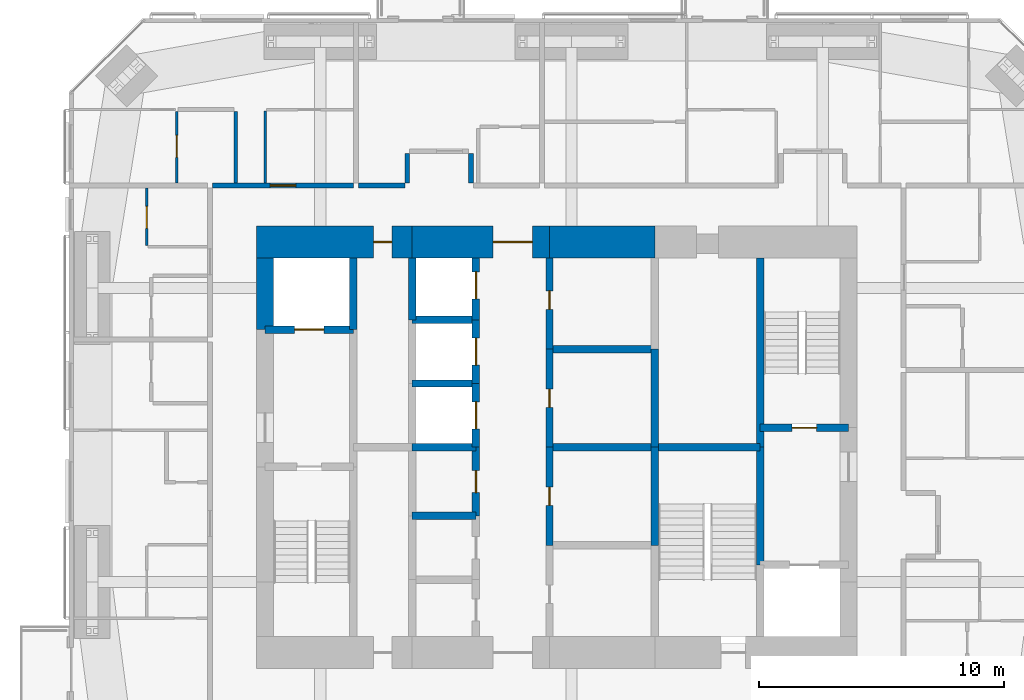
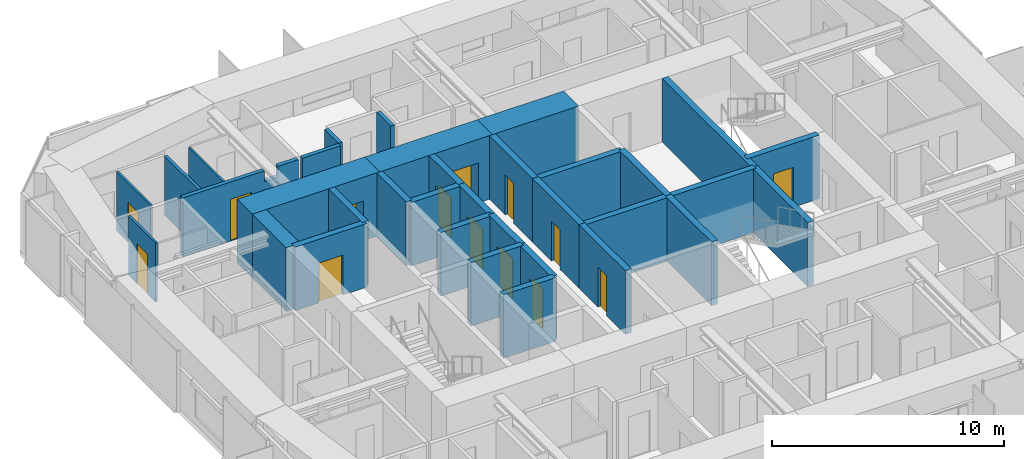
# One storey, part 18 of 23: 34 walls, 14 doors, 14 openings.
"""IFC4 building model written with IfcOpenShell, lengths in metres."""

import ifcopenshell
import ifcopenshell.guid

model = None  # the IFC model being written
_history = None  # IfcOwnerHistory: only IFC2X3 demands one
_inside = {}  # id of a spatial element -> (the spatial element, [elements in it])
_under = {}  # id of a project, library or spatial element -> (it, [spatial elements below it])
_declared = {}  # id of a project -> (the project, [libraries it declares])
_typed = {}  # id of a type object -> (the type object, [elements of that type])
_made_of = {}  # id of a material, layer set ... -> (it, [elements and type objects made of it])


def new_model(schema):
    """Start an empty IFC model of exactly this schema.

    Asked for "IFC4X3", IfcOpenShell would pick the latest addendum, in which some entities
    have other attributes; the version numbers below select the first issue.
    IFC2X3 requires an IfcOwnerHistory on every rooted entity: one is made here for all.
    """
    global model, _history
    if schema == "IFC4X3":
        model = ifcopenshell.file(schema_version=(4, 3, 0, 0))
    else:
        model = ifcopenshell.file(schema=schema)
    _inside.clear()
    _under.clear()
    _declared.clear()
    _typed.clear()
    _made_of.clear()
    _history = None
    if model.schema == "IFC2X3":
        org = make("IfcOrganization", Name="unknown")
        user = make(
            "IfcPersonAndOrganization",
            ThePerson=make("IfcPerson", FamilyName="unknown"),
            TheOrganization=org,
        )
        app = make(
            "IfcApplication",
            ApplicationDeveloper=org,
            Version="unknown",
            ApplicationFullName="unknown",
            ApplicationIdentifier="unknown",
        )
        _history = make(
            "IfcOwnerHistory",
            OwningUser=user,
            OwningApplication=app,
            ChangeAction="ADDED",
            CreationDate=0,
        )
    return model


def make(cls, **values):
    """One entity of the class cls with the attributes given. An attribute that is None is left unset."""
    return model.create_entity(
        cls, **{name: value for name, value in values.items() if value is not None}
    )


def rooted(cls, **values):
    """An entity with a GlobalId (a new one), such as an element, a storey or a relation."""
    return make(cls, GlobalId=ifcopenshell.guid.new(), OwnerHistory=_history, **values)


def si_unit(unit_type, name, prefix=None):
    """IfcSIUnit, for example si_unit("LENGTHUNIT", "METRE", prefix="MILLI")."""
    return make("IfcSIUnit", UnitType=unit_type, Prefix=prefix, Name=name)


def assignment(units):
    """IfcUnitAssignment: the units of a project."""
    return None if units is None else make("IfcUnitAssignment", Units=units)


def point(xyz):
    """IfcCartesianPoint."""
    return None if xyz is None else make("IfcCartesianPoint", Coordinates=xyz)


def direction(xyz):
    """IfcDirection."""
    return None if xyz is None else make("IfcDirection", DirectionRatios=xyz)


def frame(location, z_axis=None, x_axis=None):
    """IfcAxis2Placement3D, a coordinate frame: its origin and axes. An axis left out is left unset."""
    return make(
        "IfcAxis2Placement3D",
        Location=point(location),
        Axis=direction(z_axis),
        RefDirection=direction(x_axis),
    )


def frame_2d(location, x_axis=None):
    """IfcAxis2Placement2D, a coordinate frame in the plane: its origin and x axis."""
    return make(
        "IfcAxis2Placement2D", Location=point(location), RefDirection=direction(x_axis)
    )


def origin():
    """The frame at (0, 0, 0) with its axes left unset."""
    return frame((0.0, 0.0, 0.0))


def place(relative_to, where):
    """IfcLocalPlacement: puts the frame where relative to a parent placement (None: the world)."""
    return make(
        "IfcLocalPlacement", PlacementRelTo=relative_to, RelativePlacement=where
    )


def context(
    kind, dimensions, precision=None, world=None, true_north=None, identifier=None
):
    """IfcGeometricRepresentationContext, for example the 3D "Model" context."""
    return make(
        "IfcGeometricRepresentationContext",
        ContextIdentifier=identifier,
        ContextType=kind,
        CoordinateSpaceDimension=dimensions,
        Precision=precision,
        WorldCoordinateSystem=world,
        TrueNorth=true_north,
    )


def subcontext(parent, identifier, kind, view, scale=None):
    """IfcGeometricRepresentationSubContext, for example "Body" below "Model"."""
    return make(
        "IfcGeometricRepresentationSubContext",
        ContextIdentifier=identifier,
        ContextType=kind,
        ParentContext=parent,
        TargetScale=scale,
        TargetView=view,
    )


def project(units=None, contexts=None):
    """IfcProject with its units and contexts."""
    return rooted(
        "IfcProject",
        Name="project",
        RepresentationContexts=contexts,
        UnitsInContext=assignment(units),
    )


def spatial(cls, under=None, at=None, **own):
    """A site, building, storey or space (cls), placed at a placement, below another one or the project."""
    s = rooted(cls, ObjectPlacement=at, **own)
    if under is not None:
        _under.setdefault(under.id(), (under, []))[1].append(s)
    return s


def polyline(points):
    """IfcPolyline through the points."""
    return make("IfcPolyline", Points=[point(p) for p in points])


def profile(cls, at=None, kind="AREA", **sizes):
    """A parametric profile (cls). Its sizes go by their IFC names, for example OverallWidth=200.0."""
    return make(cls, ProfileType=kind, Position=at, **sizes)


def rectangle(**sizes):
    """IfcRectangleProfileDef."""
    return profile("IfcRectangleProfileDef", **sizes)


def outline(outer, holes=None, kind="AREA"):
    """IfcArbitraryClosedProfileDef: a profile drawn as a closed curve; with holes, ...WithVoids."""
    if holes is None:
        return make("IfcArbitraryClosedProfileDef", ProfileType=kind, OuterCurve=outer)
    return make(
        "IfcArbitraryProfileDefWithVoids",
        ProfileType=kind,
        OuterCurve=outer,
        InnerCurves=holes,
    )


def extrude(swept, where, along, depth):
    """IfcExtrudedAreaSolid: the profile swept, set in the frame where, extruded along a direction by depth."""
    return make(
        "IfcExtrudedAreaSolid",
        SweptArea=swept,
        Position=where,
        ExtrudedDirection=direction(along),
        Depth=depth,
    )


def shape(context_of_items, identifier, shape_type, items):
    """IfcShapeRepresentation: the items that make up one representation, for example the "Body"."""
    return make(
        "IfcShapeRepresentation",
        ContextOfItems=context_of_items,
        RepresentationIdentifier=identifier,
        RepresentationType=shape_type,
        Items=items,
    )


def material(Name=None, Category=None):
    """IfcMaterial."""
    return make("IfcMaterial", Name=Name, Category=Category)


def layer(
    of_material, thickness, ventilated=None, Name=None, Category=None, Priority=None
):
    """IfcMaterialLayer: one layer of a wall or slab, of a material (None: an air gap)."""
    return make(
        "IfcMaterialLayer",
        Material=of_material,
        LayerThickness=thickness,
        IsVentilated=ventilated,
        Name=Name,
        Category=Category,
        Priority=Priority,
    )


def layer_set(layers, Name=None):
    """IfcMaterialLayerSet."""
    return make("IfcMaterialLayerSet", MaterialLayers=layers, LayerSetName=Name)


def constituent(of_material, Name=None, Category=None, fraction=None):
    """IfcMaterialConstituent: one of the materials an element consists of."""
    return make(
        "IfcMaterialConstituent",
        Name=Name,
        Material=of_material,
        Fraction=fraction,
        Category=Category,
    )


def constituent_set(constituents=None, Name=None):
    """IfcMaterialConstituentSet."""
    return make(
        "IfcMaterialConstituentSet", Name=Name, MaterialConstituents=constituents
    )


def made_of(thing, what):
    """Note that an element or type object is made of a material, layer set ...; save() writes the relation."""
    if what is not None:
        _made_of.setdefault(what.id(), (what, []))[1].append(thing)
    return thing


def type_object(cls, material=None, **own):
    """A type object (cls), such as IfcWallType, which elements share."""
    return made_of(rooted(cls, **own), material)


def element(
    cls,
    number,
    at=None,
    inside=None,
    cuts=None,
    type_object=None,
    material=None,
    context=None,
    identifier="Body",
    shape_type=None,
    held_by="IfcProductDefinitionShape",
    body=None,
    shapes=None,
    **own,
):
    """One element of the class cls, such as IfcWall. Its Tag is "e" and its number.

    at: its placement. inside: the storey or other place that contains it. cuts: it is an
    opening in that element (IfcRelVoidsElement). A single representation is given by context,
    identifier, shape_type and body (its items); several are given by shapes. held_by: the class
    of the entity that holds the representations. save() writes the other relations.
    """
    e = rooted(cls, Tag="e%d" % number, ObjectPlacement=at, **own)
    if body is not None:
        shapes = [shape(context, identifier, shape_type, body)]
    if shapes is not None:
        e.Representation = make(held_by, Representations=shapes)
    if inside is not None:
        _inside.setdefault(inside.id(), (inside, []))[1].append(e)
    if cuts is not None:
        rooted(
            "IfcRelVoidsElement", RelatingBuildingElement=cuts, RelatedOpeningElement=e
        )
    if type_object is not None:
        _typed.setdefault(type_object.id(), (type_object, []))[1].append(e)
    return made_of(e, material)


def fill(opening, filler):
    """IfcRelFillsElement: the door or window that sits in an opening."""
    return rooted(
        "IfcRelFillsElement",
        RelatingOpeningElement=opening,
        RelatedBuildingElement=filler,
    )


def aggregate(whole, parts):
    """IfcRelAggregates: a whole, such as a stair, and the parts it consists of."""
    return rooted("IfcRelAggregates", RelatingObject=whole, RelatedObjects=parts)


def save(model, path):
    """Write the relations noted so far, then the file.

    IfcRelAggregates (storeys below a building ...), IfcRelContainedInSpatialStructure (elements
    in a storey), IfcRelDefinesByType, IfcRelAssociatesMaterial and IfcRelDeclares: one each for
    every whole, place, type object, material and project.
    """
    for whole, parts in _under.values():
        aggregate(whole, parts)
    for where, things in _inside.values():
        rooted(
            "IfcRelContainedInSpatialStructure",
            RelatedElements=things,
            RelatingStructure=where,
        )
    for kind, things in _typed.values():
        rooted("IfcRelDefinesByType", RelatedObjects=things, RelatingType=kind)
    for what, things in _made_of.values():
        rooted("IfcRelAssociatesMaterial", RelatedObjects=things, RelatingMaterial=what)
    for by, libraries in _declared.values():
        rooted("IfcRelDeclares", RelatingContext=by, RelatedDefinitions=libraries)
    model.write(path)


model = new_model("IFC4")

# Units and contexts
model_context = context("Model", 3, precision=1e-05, world=origin(), true_north=direction((0.0, 1.0)))
body_context = subcontext(model_context, "Body", "Model", "MODEL_VIEW")
ifc_project = project(units=[si_unit("LENGTHUNIT", "METRE"), si_unit("AREAUNIT", "SQUARE_METRE"), si_unit("VOLUMEUNIT", "CUBIC_METRE"), si_unit("PLANEANGLEUNIT", "RADIAN"), si_unit("MASSUNIT", "GRAM", prefix="KILO")], contexts=[model_context])

# Site, building, storey
site_placement = place(None, origin())
site = spatial("IfcSite", under=ifc_project, at=site_placement, CompositionType="ELEMENT")
building_placement = place(site_placement, origin())
building = spatial("IfcBuilding", under=site, at=building_placement, Name="Jalousie Tower", CompositionType="ELEMENT")
storey_placement = place(building_placement, frame((0.0, 0.0, 171.10009765625)))
storey = spatial("IfcBuildingStorey", under=building, at=storey_placement, Name="L46", CompositionType="ELEMENT", Elevation=171.10009765625)

# Walls
ifc_material_1 = material(Name="Concrete block ASTM C90", Category="concrete")
ifc_constituent_1 = constituent(ifc_material_1, Name="Body")
ifc_material_2 = material(Name="Render")
ifc_constituent_2 = constituent(ifc_material_2, Name="Finish")
ifc_constituent_set_1 = constituent_set(constituents=[ifc_constituent_1, ifc_constituent_2])
wall_type_1 = type_object("IfcWallType", Name="BATHROOM WALL 150", PredefinedType="PLUMBINGWALL", material=ifc_constituent_set_1)
wall_1_placement = place(storey_placement, frame((18.800048828125, 32.20361328125, 0.0), z_axis=(0.0, 0.0, 1.0), x_axis=(0.0, -1.0, 0.0)))
element("IfcWall", 1, at=wall_1_placement, inside=storey, type_object=wall_type_1, Name="Bathroom Wall 150 L46", PredefinedType="PLUMBINGWALL", context=body_context, shape_type="SweptSolid", body=[
    extrude(rectangle(XDim=2.9287109375, YDim=0.14990234375, at=frame_2d((1.46435546875, 0.0))), origin(), (0.0, 0.0, 1.0), 3.10986328125),
])
ifc_material_3 = material(Name="Concrete f'c 120 MPa", Category="concrete")
ifc_layer_1 = layer(ifc_material_3, 1.300048828125)
ifc_layer_set_1 = layer_set([ifc_layer_1], Name="Concrete f'c 120 MPa")
wall_type_2 = type_object("IfcWallType", Name="CORE WALL 1300", PredefinedType="SHEAR", material=ifc_layer_set_1)
wall_2_placement = place(storey_placement, frame((35.89990234375, 26.875, 0.0), z_axis=(0.0, 0.0, 1.0), x_axis=(-1.0, 0.0, 0.0)))
element("IfcWall", 2, at=wall_2_placement, inside=storey, type_object=wall_type_2, Name="Core wall NB L46", PredefinedType="SHEAR", context=body_context, shape_type="SweptSolid", body=[
    extrude(rectangle(XDim=4.2998046875, YDim=1.300048828125, at=frame_2d((2.14990234375, 0.0))), origin(), (0.0, 0.0, 1.0), 3.349853515625),
])

# Wall, opening, door
wall_3_placement = place(storey_placement, frame((31.60009765625, 26.875, 0.0), z_axis=(0.0, 0.0, 1.0), x_axis=(-1.0, 0.0, 0.0)))
wall_3 = element("IfcWall", 3, at=wall_3_placement, inside=storey, type_object=wall_type_2, Name="Core wall NC L46", PredefinedType="SHEAR", context=body_context, shape_type="SweptSolid", body=[
    extrude(rectangle(XDim=5.60009765625, YDim=1.300048828125, at=frame_2d((2.800048828125, 0.0))), origin(), (0.0, 0.0, 1.0), 3.349853515625),
])
opening_1_placement = place(wall_3_placement, frame((0.699951171875, 0.0, 0.0)))
opening_1 = element("IfcOpeningElement", 4, at=opening_1_placement, cuts=wall_3, Name="Opening D15", PredefinedType="OPENING", context=body_context, shape_type="SweptSolid", body=[
    extrude(rectangle(XDim=1.60009765625, YDim=2.10009765625, at=frame_2d((0.800048828125, 1.050048828125))), frame((0.0, 0.659912109375, 0.0), z_axis=(0.0, -1.0, 0.0), x_axis=(1.0, 0.0, 0.0)), (0.0, 0.0, 1.0), 1.320068359375),
])
ifc_material_4 = material(Name="Steel fire door", Category="steel")
door_type_1 = type_object("IfcDoorType", Name="LIFT LOBBY DOOR 1600", OperationType="DOUBLE_DOOR_SINGLE_SWING", PredefinedType="DOOR", material=ifc_material_4)
door_1_placement = place(opening_1_placement, origin())
door_1 = element("IfcDoor", 5, at=door_1_placement, inside=storey, type_object=door_type_1, Name="Lift lobby north door", OperationType="DOUBLE_DOOR_SINGLE_SWING", OverallHeight=2.10009765625, OverallWidth=1.60009765625, PredefinedType="DOOR", context=body_context, shape_type="SweptSolid", body=[
    extrude(rectangle(XDim=1.60009765625, YDim=2.10009765625, at=frame_2d((0.800048828125, 1.050048828125))), frame((0.0, 0.02490234375, 0.0), z_axis=(0.0, -1.0, 0.0), x_axis=(1.0, 0.0, 0.0)), (0.0, 0.0, 1.0), 0.050048828125),
])
fill(opening_1, door_1)

wall_4_placement = place(storey_placement, frame((26.0, 26.875, 0.0), z_axis=(0.0, 0.0, 1.0), x_axis=(-1.0, 0.0, 0.0)))
wall_4 = element("IfcWall", 6, at=wall_4_placement, inside=storey, type_object=wall_type_2, Name="Core wall ND L46", PredefinedType="SHEAR", context=body_context, shape_type="SweptSolid", body=[
    extrude(rectangle(XDim=6.35009765625, YDim=1.300048828125, at=frame_2d((3.175048828125, 0.0))), origin(), (0.0, 0.0, 1.0), 3.349853515625),
])
opening_2_placement = place(wall_4_placement, frame((0.824951171875, 0.0, 0.0)))
opening_2 = element("IfcOpeningElement", 7, at=opening_2_placement, cuts=wall_4, Name="Opening D16", PredefinedType="OPENING", context=body_context, shape_type="SweptSolid", body=[
    extrude(rectangle(XDim=0.75, YDim=2.10009765625, at=frame_2d((0.375, 1.050048828125))), frame((0.0, 0.659912109375, 0.0), z_axis=(0.0, -1.0, 0.0), x_axis=(1.0, 0.0, 0.0)), (0.0, 0.0, 1.0), 1.320068359375),
])
ifc_material_5 = material(Name="Steel fire door", Category="steel")
door_type_2 = type_object("IfcDoorType", Name="RISER DOOR 750", OperationType="SINGLE_SWING_LEFT", PredefinedType="DOOR", material=ifc_material_5)
door_2_placement = place(opening_2_placement, origin())
door_2 = element("IfcDoor", 8, at=door_2_placement, inside=storey, type_object=door_type_2, Name="North riser door", OperationType="SINGLE_SWING_RIGHT", OverallHeight=2.10009765625, OverallWidth=0.75, PredefinedType="DOOR", context=body_context, shape_type="SweptSolid", body=[
    extrude(rectangle(XDim=0.75, YDim=2.10009765625, at=frame_2d((0.375, 1.050048828125))), frame((0.0, 0.02490234375, 0.0), z_axis=(0.0, -1.0, 0.0), x_axis=(1.0, 0.0, 0.0)), (0.0, 0.0, 1.0), 0.050048828125),
])
fill(opening_2, door_2)

# Walls
ifc_material_6 = material(Name="Concrete f'c 120 MPa", Category="concrete")
ifc_layer_2 = layer(ifc_material_6, 0.300048828125)
ifc_layer_set_2 = layer_set([ifc_layer_2], Name="Concrete f'c 120 MPa")
wall_type_3 = type_object("IfcWallType", Name="CORE WALL 300", PredefinedType="SHEAR", material=ifc_layer_set_2)
wall_5_placement = place(storey_placement, frame((23.60009765625, 23.300048828125, 0.0), z_axis=(0.0, 0.0, 1.0), x_axis=(0.0, 1.0, 0.0)))
element("IfcWall", 9, at=wall_5_placement, inside=storey, type_object=wall_type_3, Name="Core wall X23.6C L46", PredefinedType="SHEAR", context=body_context, shape_type="SweptSolid", body=[
    extrude(rectangle(XDim=2.925048828125, YDim=0.300048828125, at=frame_2d((1.46240234375, 0.0))), origin(), (0.0, 0.0, 1.0), 3.349853515625),
])
wall_6_placement = place(storey_placement, frame((26.0, 23.699951171875, 0.0), z_axis=(0.0, 0.0, 1.0), x_axis=(0.0, 1.0, 0.0)))
element("IfcWall", 10, at=wall_6_placement, inside=storey, type_object=wall_type_3, Name="Core wall X26F L46", PredefinedType="SHEAR", context=body_context, shape_type="SweptSolid", body=[
    extrude(rectangle(XDim=2.525146484375, YDim=0.300048828125, at=frame_2d((1.2626953125, 0.0))), origin(), (0.0, 0.0, 1.0), 3.349853515625),
])

# Wall, opening, door
wall_7_placement = place(storey_placement, frame((28.60009765625, 15.699951171875, 0.0), z_axis=(0.0, 0.0, 1.0), x_axis=(0.0, 1.0, 0.0)))
wall_7 = element("IfcWall", 11, at=wall_7_placement, inside=storey, type_object=wall_type_3, Name="Core wall X28.6C L46", PredefinedType="SHEAR", context=body_context, shape_type="SweptSolid", body=[
    extrude(rectangle(XDim=2.800048828125, YDim=0.300048828125, at=frame_2d((1.39990234375, 0.0))), origin(), (0.0, 0.0, 1.0), 3.349853515625),
])
opening_3_placement = place(wall_7_placement, frame((0.949951171875, 0.0, 0.0)))
opening_3 = element("IfcOpeningElement", 12, at=opening_3_placement, cuts=wall_7, Name="Opening D24", PredefinedType="OPENING", context=body_context, shape_type="SweptSolid", body=[
    extrude(rectangle(XDim=0.89990234375, YDim=2.10009765625, at=frame_2d((0.449951171875, 1.050048828125))), frame((0.0, 0.159912109375, 0.0), z_axis=(0.0, -1.0, 0.0), x_axis=(1.0, 0.0, 0.0)), (0.0, 0.0, 1.0), 0.320068359375),
])
ifc_material_7 = material(Name="Steel fire door", Category="steel")
door_type_3 = type_object("IfcDoorType", Name="CORE ROOM DOOR 900", OperationType="SINGLE_SWING_LEFT", PredefinedType="DOOR", material=ifc_material_7)
door_3_placement = place(opening_3_placement, origin())
door_3 = element("IfcDoor", 13, at=door_3_placement, inside=storey, type_object=door_type_3, Name="Linen store door", OperationType="SINGLE_SWING_LEFT", OverallHeight=2.10009765625, OverallWidth=0.89990234375, PredefinedType="DOOR", context=body_context, shape_type="SweptSolid", body=[
    extrude(rectangle(XDim=0.89990234375, YDim=2.10009765625, at=frame_2d((0.449951171875, 1.050048828125))), frame((0.0, 0.02490234375, 0.0), z_axis=(0.0, -1.0, 0.0), x_axis=(1.0, 0.0, 0.0)), (0.0, 0.0, 1.0), 0.050048828125),
])
fill(opening_3, door_3)

wall_8_placement = place(storey_placement, frame((28.60009765625, 18.5, 0.0), z_axis=(0.0, 0.0, 1.0), x_axis=(0.0, 1.0, 0.0)))
wall_8 = element("IfcWall", 14, at=wall_8_placement, inside=storey, type_object=wall_type_3, Name="Core wall X28.6D L46", PredefinedType="SHEAR", context=body_context, shape_type="SweptSolid", body=[
    extrude(rectangle(XDim=2.60009765625, YDim=0.300048828125, at=frame_2d((1.300048828125, 0.0))), origin(), (0.0, 0.0, 1.0), 3.349853515625),
])
opening_4_placement = place(wall_8_placement, frame((0.75, 0.0, 0.0)))
opening_4 = element("IfcOpeningElement", 15, at=opening_4_placement, cuts=wall_8, Name="Opening LD1", PredefinedType="OPENING", context=body_context, shape_type="SweptSolid", body=[
    extrude(rectangle(XDim=1.10009765625, YDim=2.10009765625, at=frame_2d((0.550048828125, 1.050048828125))), frame((0.0, 0.159912109375, 0.0), z_axis=(0.0, -1.0, 0.0), x_axis=(1.0, 0.0, 0.0)), (0.0, 0.0, 1.0), 0.320068359375),
])
ifc_material_8 = material(Name="Steel lift landing door", Category="steel")
door_type_4 = type_object("IfcDoorType", Name="LIFT LANDING DOOR 1100", OperationType="SLIDING_TO_LEFT", PredefinedType="DOOR", material=ifc_material_8)
door_4_placement = place(opening_4_placement, origin())
door_4 = element("IfcDoor", 16, at=door_4_placement, inside=storey, type_object=door_type_4, Name="Lift P4 landing door", OperationType="SLIDING_TO_LEFT", OverallHeight=2.10009765625, OverallWidth=1.10009765625, PredefinedType="DOOR", context=body_context, shape_type="SweptSolid", body=[
    extrude(rectangle(XDim=1.10009765625, YDim=2.10009765625, at=frame_2d((0.550048828125, 1.050048828125))), frame((0.0, 0.02490234375, 0.0), z_axis=(0.0, -1.0, 0.0), x_axis=(1.0, 0.0, 0.0)), (0.0, 0.0, 1.0), 0.050048828125),
])
fill(opening_4, door_4)

wall_9_placement = place(storey_placement, frame((28.60009765625, 21.10009765625, 0.0), z_axis=(0.0, 0.0, 1.0), x_axis=(0.0, 1.0, 0.0)))
wall_9 = element("IfcWall", 17, at=wall_9_placement, inside=storey, type_object=wall_type_3, Name="Core wall X28.6E L46", PredefinedType="SHEAR", context=body_context, shape_type="SweptSolid", body=[
    extrude(rectangle(XDim=2.599853515625, YDim=0.300048828125, at=frame_2d((1.2998046875, 0.0))), origin(), (0.0, 0.0, 1.0), 3.349853515625),
])
opening_5_placement = place(wall_9_placement, frame((0.75, 0.0, 0.0)))
opening_5 = element("IfcOpeningElement", 18, at=opening_5_placement, cuts=wall_9, Name="Opening LD1", PredefinedType="OPENING", context=body_context, shape_type="SweptSolid", body=[
    extrude(rectangle(XDim=1.10009765625, YDim=2.10009765625, at=frame_2d((0.550048828125, 1.050048828125))), frame((0.0, 0.159912109375, 0.0), z_axis=(0.0, -1.0, 0.0), x_axis=(1.0, 0.0, 0.0)), (0.0, 0.0, 1.0), 0.320068359375),
])
door_5_placement = place(opening_5_placement, origin())
door_5 = element("IfcDoor", 19, at=door_5_placement, inside=storey, type_object=door_type_4, Name="Lift P5 landing door", OperationType="SLIDING_TO_LEFT", OverallHeight=2.10009765625, OverallWidth=1.10009765625, PredefinedType="DOOR", context=body_context, shape_type="SweptSolid", body=[
    extrude(rectangle(XDim=1.10009765625, YDim=2.10009765625, at=frame_2d((0.550048828125, 1.050048828125))), frame((0.0, 0.02490234375, 0.0), z_axis=(0.0, -1.0, 0.0), x_axis=(1.0, 0.0, 0.0)), (0.0, 0.0, 1.0), 0.050048828125),
])
fill(opening_5, door_5)

wall_10_placement = place(storey_placement, frame((28.60009765625, 23.699951171875, 0.0), z_axis=(0.0, 0.0, 1.0), x_axis=(0.0, 1.0, 0.0)))
wall_10 = element("IfcWall", 20, at=wall_10_placement, inside=storey, type_object=wall_type_3, Name="Core wall X28.6F L46", PredefinedType="SHEAR", context=body_context, shape_type="SweptSolid", body=[
    extrude(rectangle(XDim=2.525146484375, YDim=0.300048828125, at=frame_2d((1.2626953125, 0.0))), origin(), (0.0, 0.0, 1.0), 3.349853515625),
])
opening_6_placement = place(wall_10_placement, frame((0.85009765625, 0.0, 0.0)))
opening_6 = element("IfcOpeningElement", 21, at=opening_6_placement, cuts=wall_10, Name="Opening LD1", PredefinedType="OPENING", context=body_context, shape_type="SweptSolid", body=[
    extrude(rectangle(XDim=1.10009765625, YDim=2.10009765625, at=frame_2d((0.550048828125, 1.050048828125))), frame((0.0, 0.159912109375, 0.0), z_axis=(0.0, -1.0, 0.0), x_axis=(1.0, 0.0, 0.0)), (0.0, 0.0, 1.0), 0.320068359375),
])
door_6_placement = place(opening_6_placement, origin())
door_6 = element("IfcDoor", 22, at=door_6_placement, inside=storey, type_object=door_type_4, Name="Lift P6 landing door", OperationType="SLIDING_TO_LEFT", OverallHeight=2.10009765625, OverallWidth=1.10009765625, PredefinedType="DOOR", context=body_context, shape_type="SweptSolid", body=[
    extrude(rectangle(XDim=1.10009765625, YDim=2.10009765625, at=frame_2d((0.550048828125, 1.050048828125))), frame((0.0, 0.02490234375, 0.0), z_axis=(0.0, -1.0, 0.0), x_axis=(1.0, 0.0, 0.0)), (0.0, 0.0, 1.0), 0.050048828125),
])
fill(opening_6, door_6)

wall_11_placement = place(storey_placement, frame((31.60009765625, 14.5, 0.0), z_axis=(0.0, 0.0, 1.0), x_axis=(0.0, 1.0, 0.0)))
wall_11 = element("IfcWall", 23, at=wall_11_placement, inside=storey, type_object=wall_type_3, Name="Core wall X31.6B L46", PredefinedType="SHEAR", context=body_context, shape_type="SweptSolid", body=[
    extrude(rectangle(XDim=4.0, YDim=0.300048828125, at=frame_2d((2.0, 0.0))), origin(), (0.0, 0.0, 1.0), 3.349853515625),
])
opening_7_placement = place(wall_11_placement, frame((1.625, 0.0, 0.0)))
opening_7 = element("IfcOpeningElement", 24, at=opening_7_placement, cuts=wall_11, Name="Opening D16", PredefinedType="OPENING", context=body_context, shape_type="SweptSolid", body=[
    extrude(rectangle(XDim=0.75, YDim=2.10009765625, at=frame_2d((0.375, 1.050048828125))), frame((0.0, 0.159912109375, 0.0), z_axis=(0.0, -1.0, 0.0), x_axis=(1.0, 0.0, 0.0)), (0.0, 0.0, 1.0), 0.320068359375),
])
door_7_placement = place(opening_7_placement, frame((0.75, 0.0, 0.0), z_axis=(0.0, 0.0, 1.0), x_axis=(-1.0, 0.0, 0.0)))
door_7 = element("IfcDoor", 25, at=door_7_placement, inside=storey, type_object=door_type_2, Name="Electrical Room door", OperationType="SINGLE_SWING_RIGHT", OverallHeight=2.10009765625, OverallWidth=0.75, PredefinedType="DOOR", context=body_context, shape_type="SweptSolid", body=[
    extrude(rectangle(XDim=0.75, YDim=2.10009765625, at=frame_2d((0.375, 1.050048828125))), frame((0.0, 0.02490234375, 0.0), z_axis=(0.0, -1.0, 0.0), x_axis=(1.0, 0.0, 0.0)), (0.0, 0.0, 1.0), 0.050048828125),
])
fill(opening_7, door_7)

wall_12_placement = place(storey_placement, frame((31.60009765625, 18.5, 0.0), z_axis=(0.0, 0.0, 1.0), x_axis=(0.0, 1.0, 0.0)))
wall_12 = element("IfcWall", 26, at=wall_12_placement, inside=storey, type_object=wall_type_3, Name="Core wall X31.6C L46", PredefinedType="SHEAR", context=body_context, shape_type="SweptSolid", body=[
    extrude(rectangle(XDim=4.0, YDim=0.300048828125, at=frame_2d((2.0, 0.0))), origin(), (0.0, 0.0, 1.0), 3.349853515625),
])
opening_8_placement = place(wall_12_placement, frame((1.625, 0.0, 0.0)))
opening_8 = element("IfcOpeningElement", 27, at=opening_8_placement, cuts=wall_12, Name="Opening D16", PredefinedType="OPENING", context=body_context, shape_type="SweptSolid", body=[
    extrude(rectangle(XDim=0.75, YDim=2.10009765625, at=frame_2d((0.375, 1.050048828125))), frame((0.0, 0.159912109375, 0.0), z_axis=(0.0, -1.0, 0.0), x_axis=(1.0, 0.0, 0.0)), (0.0, 0.0, 1.0), 0.320068359375),
])
door_8_placement = place(opening_8_placement, frame((0.75, 0.0, 0.0), z_axis=(0.0, 0.0, 1.0), x_axis=(-1.0, 0.0, 0.0)))
door_8 = element("IfcDoor", 28, at=door_8_placement, inside=storey, type_object=door_type_2, Name="Telecom Room door", OperationType="SINGLE_SWING_RIGHT", OverallHeight=2.10009765625, OverallWidth=0.75, PredefinedType="DOOR", context=body_context, shape_type="SweptSolid", body=[
    extrude(rectangle(XDim=0.75, YDim=2.10009765625, at=frame_2d((0.375, 1.050048828125))), frame((0.0, 0.02490234375, 0.0), z_axis=(0.0, -1.0, 0.0), x_axis=(1.0, 0.0, 0.0)), (0.0, 0.0, 1.0), 0.050048828125),
])
fill(opening_8, door_8)

wall_13_placement = place(storey_placement, frame((31.60009765625, 22.5, 0.0), z_axis=(0.0, 0.0, 1.0), x_axis=(0.0, 1.0, 0.0)))
wall_13 = element("IfcWall", 29, at=wall_13_placement, inside=storey, type_object=wall_type_3, Name="Core wall X31.6D L46", PredefinedType="SHEAR", context=body_context, shape_type="SweptSolid", body=[
    extrude(rectangle(XDim=3.72509765625, YDim=0.300048828125, at=frame_2d((1.862548828125, 0.0))), origin(), (0.0, 0.0, 1.0), 3.349853515625),
])
opening_9_placement = place(wall_13_placement, frame((1.625, 0.0, 0.0)))
opening_9 = element("IfcOpeningElement", 30, at=opening_9_placement, cuts=wall_13, Name="Opening D16", PredefinedType="OPENING", context=body_context, shape_type="SweptSolid", body=[
    extrude(rectangle(XDim=0.75, YDim=2.10009765625, at=frame_2d((0.375, 1.050048828125))), frame((0.0, 0.159912109375, 0.0), z_axis=(0.0, -1.0, 0.0), x_axis=(1.0, 0.0, 0.0)), (0.0, 0.0, 1.0), 0.320068359375),
])
door_9_placement = place(opening_9_placement, frame((0.75, 0.0, 0.0), z_axis=(0.0, 0.0, 1.0), x_axis=(-1.0, 0.0, 0.0)))
door_9 = element("IfcDoor", 31, at=door_9_placement, inside=storey, type_object=door_type_2, Name="Water Services Room door", OperationType="SINGLE_SWING_LEFT", OverallHeight=2.10009765625, OverallWidth=0.75, PredefinedType="DOOR", context=body_context, shape_type="SweptSolid", body=[
    extrude(rectangle(XDim=0.75, YDim=2.10009765625, at=frame_2d((0.375, 1.050048828125))), frame((0.0, 0.02490234375, 0.0), z_axis=(0.0, -1.0, 0.0), x_axis=(1.0, 0.0, 0.0)), (0.0, 0.0, 1.0), 0.050048828125),
])
fill(opening_9, door_9)

# Walls
for number, where, z_axis, x_axis, name in (
    (32, (35.89990234375, 14.5, 0.0), (0.0, 0.0, 1.0), (0.0, 1.0, 0.0), "Core wall X35.9B L46"),
    (33, (35.89990234375, 18.5, 0.0), (0.0, 0.0, 1.0), (0.0, 1.0, 0.0), "Core wall X35.9C L46"),
):
    element("IfcWall", number, at=place(storey_placement, frame(where, z_axis=z_axis, x_axis=x_axis)), inside=storey, type_object=wall_type_3, Name=name, PredefinedType="SHEAR", context=body_context, shape_type="SweptSolid", body=[
        extrude(rectangle(XDim=4.0, YDim=0.300048828125, at=frame_2d((2.0, 0.0))), origin(), (0.0, 0.0, 1.0), 3.349853515625),
    ])
wall_14_placement = place(storey_placement, frame((40.199951171875, 13.699951171875, 0.0), z_axis=(0.0, 0.0, 1.0), x_axis=(0.0, 1.0, 0.0)))
element("IfcWall", 34, at=wall_14_placement, inside=storey, type_object=wall_type_3, Name="Core wall X40.2B L46", PredefinedType="SHEAR", context=body_context, shape_type="SweptSolid", body=[
    extrude(rectangle(XDim=4.800048828125, YDim=0.300048828125, at=frame_2d((2.39990234375, 0.0))), origin(), (0.0, 0.0, 1.0), 3.349853515625),
])
wall_15_placement = place(storey_placement, frame((40.199951171875, 18.5, 0.0), z_axis=(0.0, 0.0, 1.0), x_axis=(0.0, 1.0, 0.0)))
element("IfcWall", 35, at=wall_15_placement, inside=storey, type_object=wall_type_3, Name="Core wall X40.2C L46", PredefinedType="SHEAR", context=body_context, shape_type="SweptSolid", body=[
    extrude(rectangle(XDim=7.72509765625, YDim=0.300048828125, at=frame_2d((3.862548828125, 0.0))), origin(), (0.0, 0.0, 1.0), 3.349853515625),
])

# Wall, opening, door
wall_16_placement = place(storey_placement, frame((20.0, 23.300048828125, 0.0), z_axis=(0.0, 0.0, 1.0), x_axis=(1.0, 0.0, 0.0)))
wall_16 = element("IfcWall", 36, at=wall_16_placement, inside=storey, type_object=wall_type_3, Name="Core wall Y20-23.3 L46", PredefinedType="SHEAR", context=body_context, shape_type="SweptSolid", body=[
    extrude(rectangle(XDim=3.60009765625, YDim=0.300048828125, at=frame_2d((1.800048828125, 0.0))), origin(), (0.0, 0.0, 1.0), 3.349853515625),
])
opening_10_placement = place(wall_16_placement, frame((1.199951171875, 0.0, 0.0)))
opening_10 = element("IfcOpeningElement", 37, at=opening_10_placement, cuts=wall_16, Name="Opening LD2", PredefinedType="OPENING", context=body_context, shape_type="SweptSolid", body=[
    extrude(rectangle(XDim=1.199951171875, YDim=2.10009765625, at=frame_2d((0.60009765625, 1.050048828125))), frame((0.0, 0.159912109375, 0.0), z_axis=(0.0, -1.0, 0.0), x_axis=(1.0, 0.0, 0.0)), (0.0, 0.0, 1.0), 0.320068359375),
])
ifc_material_9 = material(Name="Steel lift landing door", Category="steel")
door_type_5 = type_object("IfcDoorType", Name="LIFT LANDING DOOR 1200", OperationType="SLIDING_TO_LEFT", PredefinedType="DOOR", material=ifc_material_9)
door_10_placement = place(opening_10_placement, origin())
door_10 = element("IfcDoor", 38, at=door_10_placement, inside=storey, type_object=door_type_5, Name="Lift F1 landing door", OperationType="SLIDING_TO_LEFT", OverallHeight=2.10009765625, OverallWidth=1.199951171875, PredefinedType="DOOR", context=body_context, shape_type="SweptSolid", body=[
    extrude(rectangle(XDim=1.199951171875, YDim=2.10009765625, at=frame_2d((0.60009765625, 1.050048828125))), frame((0.0, 0.02490234375, 0.0), z_axis=(0.0, -1.0, 0.0), x_axis=(1.0, 0.0, 0.0)), (0.0, 0.0, 1.0), 0.050048828125),
])
fill(opening_10, door_10)

# Walls
for number, where, z_axis, x_axis, name in (
    (39, (26.0, 15.699951171875, 0.0), (0.0, 0.0, 1.0), (1.0, 0.0, 0.0), "Core wall Y26-15.7 L46"),
    (40, (26.0, 18.5, 0.0), (0.0, 0.0, 1.0), (1.0, 0.0, 0.0), "Core wall Y26-18.5 L46"),
    (41, (26.0, 21.10009765625, 0.0), (0.0, 0.0, 1.0), (1.0, 0.0, 0.0), "Core wall Y26-21.1 L46"),
    (42, (26.0, 23.699951171875, 0.0), (0.0, 0.0, 1.0), (1.0, 0.0, 0.0), "Core wall Y26-23.7 L46"),
):
    element("IfcWall", number, at=place(storey_placement, frame(where, z_axis=z_axis, x_axis=x_axis)), inside=storey, type_object=wall_type_3, Name=name, PredefinedType="SHEAR", context=body_context, shape_type="SweptSolid", body=[
        extrude(rectangle(XDim=2.60009765625, YDim=0.300048828125, at=frame_2d((1.300048828125, 0.0))), origin(), (0.0, 0.0, 1.0), 3.349853515625),
    ])
for number, where, z_axis, x_axis, name in (
    (43, (31.60009765625, 18.5, 0.0), (0.0, 0.0, 1.0), (1.0, 0.0, 0.0), "Core wall Y31.6-18.5 L46"),
    (44, (31.60009765625, 22.5, 0.0), (0.0, 0.0, 1.0), (1.0, 0.0, 0.0), "Core wall Y31.6-22.5 L46"),
):
    element("IfcWall", number, at=place(storey_placement, frame(where, z_axis=z_axis, x_axis=x_axis)), inside=storey, type_object=wall_type_3, Name=name, PredefinedType="SHEAR", context=body_context, shape_type="SweptSolid", body=[
        extrude(rectangle(XDim=4.2998046875, YDim=0.300048828125, at=frame_2d((2.14990234375, 0.0))), origin(), (0.0, 0.0, 1.0), 3.349853515625),
    ])
wall_17_placement = place(storey_placement, frame((35.89990234375, 18.5, 0.0), z_axis=(0.0, 0.0, 1.0), x_axis=(1.0, 0.0, 0.0)))
element("IfcWall", 45, at=wall_17_placement, inside=storey, type_object=wall_type_3, Name="Core wall Y35.9-18.5 L46", PredefinedType="SHEAR", context=body_context, shape_type="SweptSolid", body=[
    extrude(rectangle(XDim=4.300048828125, YDim=0.300048828125, at=frame_2d((2.14990234375, 0.0))), origin(), (0.0, 0.0, 1.0), 3.349853515625),
])

# Wall, opening, door
wall_18_placement = place(storey_placement, frame((40.199951171875, 19.300048828125, 0.0), z_axis=(0.0, 0.0, 1.0), x_axis=(1.0, 0.0, 0.0)))
wall_18 = element("IfcWall", 46, at=wall_18_placement, inside=storey, type_object=wall_type_3, Name="Core wall Y40.2-19.3 L46", PredefinedType="SHEAR", context=body_context, shape_type="SweptSolid", body=[
    extrude(rectangle(XDim=3.60009765625, YDim=0.300048828125, at=frame_2d((1.800048828125, 0.0))), origin(), (0.0, 0.0, 1.0), 3.349853515625),
])
opening_11_placement = place(wall_18_placement, frame((1.300048828125, 0.0, 0.0)))
opening_11 = element("IfcOpeningElement", 47, at=opening_11_placement, cuts=wall_18, Name="Opening D10", PredefinedType="OPENING", context=body_context, shape_type="SweptSolid", body=[
    extrude(rectangle(XDim=1.0, YDim=2.10009765625, at=frame_2d((0.5, 1.050048828125))), frame((0.0, 0.159912109375, 0.0), z_axis=(0.0, -1.0, 0.0), x_axis=(1.0, 0.0, 0.0)), (0.0, 0.0, 1.0), 0.320068359375),
])
ifc_material_10 = material(Name="Steel fire door", Category="steel")
door_type_6 = type_object("IfcDoorType", Name="STAIR DOOR 1000", OperationType="SINGLE_SWING_LEFT", PredefinedType="DOOR", material=ifc_material_10)
door_11_placement = place(opening_11_placement, origin())
door_11 = element("IfcDoor", 48, at=door_11_placement, inside=storey, type_object=door_type_6, Name="Exit stair B door", OperationType="SINGLE_SWING_RIGHT", OverallHeight=2.10009765625, OverallWidth=1.0, PredefinedType="DOOR", context=body_context, shape_type="SweptSolid", body=[
    extrude(rectangle(XDim=1.0, YDim=2.10009765625, at=frame_2d((0.5, 1.050048828125))), frame((0.0, 0.02490234375, 0.0), z_axis=(0.0, -1.0, 0.0), x_axis=(1.0, 0.0, 0.0)), (0.0, 0.0, 1.0), 0.050048828125),
])
fill(opening_11, door_11)

# Wall
ifc_material_11 = material(Name="Concrete f'c 120 MPa", Category="concrete")
ifc_layer_3 = layer(ifc_material_11, 0.699951171875)
ifc_layer_set_3 = layer_set([ifc_layer_3], Name="Concrete f'c 120 MPa")
wall_type_4 = type_object("IfcWallType", Name="CORE WALL 700", PredefinedType="SHEAR", material=ifc_layer_set_3)
wall_19_placement = place(storey_placement, frame((20.0, 26.22509765625, 0.0), z_axis=(0.0, 0.0, 1.0), x_axis=(0.0, -1.0, 0.0)))
element("IfcWall", 49, at=wall_19_placement, inside=storey, type_object=wall_type_4, Name="Core wall WA L46", PredefinedType="SHEAR", context=body_context, shape_type="SweptSolid", body=[
    extrude(rectangle(XDim=2.925048828125, YDim=0.699951171875, at=frame_2d((1.46240234375, 0.0))), origin(), (0.0, 0.0, 1.0), 3.349853515625),
])

# Wall, opening, door
ifc_material_12 = material(Name="Concrete block ASTM C90", Category="concrete")
ifc_constituent_3 = constituent(ifc_material_12, Name="Body")
ifc_material_13 = material(Name="Render")
ifc_constituent_4 = constituent(ifc_material_13, Name="Finish")
ifc_constituent_set_2 = constituent_set(constituents=[ifc_constituent_3, ifc_constituent_4])
wall_type_5 = type_object("IfcWallType", Name="CORRIDOR WALL 200", PredefinedType="PARTITIONING", material=ifc_constituent_set_2)
wall_20_placement = place(storey_placement, frame((17.85009765625, 29.175048828125, 0.0), z_axis=(0.0, 0.0, 1.0), x_axis=(1.0, 0.0, 0.0)))
wall_20 = element("IfcWall", 50, at=wall_20_placement, inside=storey, type_object=wall_type_5, Name="Corridor Wall 200 L46", PredefinedType="PARTITIONING", context=body_context, shape_type="SweptSolid", body=[
    extrude(outline(polyline([(0.0, 0.0), (5.75, 0.0), (5.75, 3.10986328125), (4.7373046875, 3.10986328125), (4.7373046875, 2.541015625), (4.0625, 2.541015625), (4.0625, 3.10986328125), (0.0, 3.10986328125), (0.0, 0.0)])), frame((0.0, 0.10009765625, 0.0), z_axis=(0.0, -1.0, 0.0), x_axis=(1.0, 0.0, 0.0)), (0.0, 0.0, 1.0), 0.199951171875),
])
opening_12_placement = place(wall_20_placement, frame((2.35009765625, 0.0, 0.0)))
opening_12 = element("IfcOpeningElement", 51, at=opening_12_placement, cuts=wall_20, Name="Opening D1", PredefinedType="OPENING", context=body_context, shape_type="SweptSolid", body=[
    extrude(rectangle(XDim=1.050048828125, YDim=2.199951171875, at=frame_2d((0.52490234375, 1.10009765625))), frame((0.0, 0.10986328125, 0.0), z_axis=(0.0, -1.0, 0.0), x_axis=(1.0, 0.0, 0.0)), (0.0, 0.0, 1.0), 0.219970703125),
])
ifc_material_14 = material(Name="Timber fire door", Category="wood")
door_type_7 = type_object("IfcDoorType", Name="APARTMENT ENTRANCE DOOR 1050", OperationType="SINGLE_SWING_LEFT", PredefinedType="DOOR", material=ifc_material_14)
door_12_placement = place(opening_12_placement, origin())
door_12 = element("IfcDoor", 52, at=door_12_placement, inside=storey, type_object=door_type_7, Name="Apartment 4605 entrance", OperationType="SINGLE_SWING_LEFT", OverallHeight=2.199951171875, OverallWidth=1.050048828125, PredefinedType="DOOR", context=body_context, shape_type="SweptSolid", body=[
    extrude(rectangle(XDim=1.050048828125, YDim=2.199951171875, at=frame_2d((0.52490234375, 1.10009765625))), frame((0.0, 0.02490234375, 0.0), z_axis=(0.0, -1.0, 0.0), x_axis=(1.0, 0.0, 0.0)), (0.0, 0.0, 1.0), 0.050048828125),
])
fill(opening_12, door_12)

# Walls
wall_21_placement = place(storey_placement, frame((23.800048828125, 29.175048828125, 0.0), z_axis=(0.0, 0.0, 1.0), x_axis=(1.0, 0.0, 0.0)))
element("IfcWall", 53, at=wall_21_placement, inside=storey, type_object=wall_type_5, Name="Corridor Wall 200 L46", PredefinedType="PARTITIONING", context=body_context, shape_type="SweptSolid", body=[
    extrude(rectangle(XDim=1.89990234375, YDim=0.199951171875, at=frame_2d((0.949951171875, 0.0))), origin(), (0.0, 0.0, 1.0), 3.10986328125),
])
for number, where, z_axis, x_axis, name in (
    (54, (25.800048828125, 29.27490234375, 0.0), (0.0, 0.0, 1.0), (0.0, 1.0, 0.0), "Corridor Wall 200 L46"),
    (55, (28.39990234375, 29.27490234375, 0.0), (0.0, 0.0, 1.0), (0.0, 1.0, 0.0), "Corridor Wall 200 L46"),
):
    element("IfcWall", number, at=place(storey_placement, frame(where, z_axis=z_axis, x_axis=x_axis)), inside=storey, type_object=wall_type_5, Name=name, PredefinedType="PARTITIONING", context=body_context, shape_type="SweptSolid", body=[
        extrude(rectangle(XDim=1.2001953125, YDim=0.199951171875, at=frame_2d((0.60009765625, 0.0))), origin(), (0.0, 0.0, 1.0), 3.10986328125),
    ])

# Wall, opening, door
ifc_material_15 = material(Name="Gypsum board", Category="gypsum")
ifc_constituent_5 = constituent(ifc_material_15, Name="Body")
ifc_material_16 = material(Name="Light-gauge steel studs ASTM A653 SS Grade 33", Category="steel")
ifc_constituent_6 = constituent(ifc_material_16, Name="Framing")
ifc_constituent_set_3 = constituent_set(constituents=[ifc_constituent_5, ifc_constituent_6])
wall_type_6 = type_object("IfcWallType", Name="PARTITION 100", PredefinedType="PARTITIONING", material=ifc_constituent_set_3)
wall_22_placement = place(storey_placement, frame((16.39990234375, 32.20361328125, 0.0), z_axis=(0.0, 0.0, 1.0), x_axis=(0.0, -1.0, 0.0)))
wall_22 = element("IfcWall", 56, at=wall_22_placement, inside=storey, type_object=wall_type_6, Name="Partition 100 L46", PredefinedType="PARTITIONING", context=body_context, shape_type="SweptSolid", body=[
    extrude(rectangle(XDim=2.9287109375, YDim=0.10009765625, at=frame_2d((1.46435546875, 0.0))), origin(), (0.0, 0.0, 1.0), 3.10986328125),
])
opening_13_placement = place(wall_22_placement, frame((0.976806640625, 0.0, 0.0)))
opening_13 = element("IfcOpeningElement", 57, at=opening_13_placement, cuts=wall_22, Name="Opening D3", PredefinedType="OPENING", context=body_context, shape_type="SweptSolid", body=[
    extrude(rectangle(XDim=0.89990234375, YDim=2.10009765625, at=frame_2d((0.449951171875, 1.050048828125))), frame((0.0, 0.06005859375, 0.0), z_axis=(0.0, -1.0, 0.0), x_axis=(1.0, 0.0, 0.0)), (0.0, 0.0, 1.0), 0.1201171875),
])
ifc_material_17 = material(Name="Timber door", Category="wood")
door_type_8 = type_object("IfcDoorType", Name="BATHROOM DOOR 900", OperationType="SINGLE_SWING_LEFT", PredefinedType="DOOR", material=ifc_material_17)
door_13_placement = place(opening_13_placement, origin())
door_13 = element("IfcDoor", 58, at=door_13_placement, inside=storey, type_object=door_type_8, Name="Apartment 4605 bedroom 1 bathroom door", OperationType="SINGLE_SWING_LEFT", OverallHeight=2.10009765625, OverallWidth=0.89990234375, PredefinedType="DOOR", context=body_context, shape_type="SweptSolid", body=[
    extrude(rectangle(XDim=0.89990234375, YDim=2.10009765625, at=frame_2d((0.449951171875, 1.050048828125))), frame((0.0, 0.02490234375, 0.0), z_axis=(0.0, -1.0, 0.0), x_axis=(1.0, 0.0, 0.0)), (0.0, 0.0, 1.0), 0.050048828125),
])
fill(opening_13, door_13)

# Wall
wall_23_placement = place(storey_placement, frame((20.0, 32.22509765625, 0.0), z_axis=(0.0, 0.0, 1.0), x_axis=(0.0, -1.0, 0.0)))
element("IfcWall", 59, at=wall_23_placement, inside=storey, type_object=wall_type_6, Name="Partition 100 L46", PredefinedType="PARTITIONING", context=body_context, shape_type="SweptSolid", body=[
    extrude(rectangle(XDim=2.9501953125, YDim=0.10009765625, at=frame_2d((1.47509765625, 0.0))), origin(), (0.0, 0.0, 1.0), 3.10986328125),
])

# Wall, opening, door
wall_24_placement = place(storey_placement, frame((15.175048828125, 26.72509765625, 0.0), z_axis=(0.0, 0.0, 1.0), x_axis=(0.0, 1.0, 0.0)))
wall_24 = element("IfcWall", 60, at=wall_24_placement, inside=storey, type_object=wall_type_6, Name="Partition 100 L46", PredefinedType="PARTITIONING", context=body_context, shape_type="SweptSolid", body=[
    extrude(rectangle(XDim=2.349853515625, YDim=0.10009765625, at=frame_2d((1.1748046875, 0.0))), origin(), (0.0, 0.0, 1.0), 3.10986328125),
])
opening_14_placement = place(wall_24_placement, frame((0.699951171875, 0.0, 0.0)))
opening_14 = element("IfcOpeningElement", 61, at=opening_14_placement, cuts=wall_24, Name="Opening D7", PredefinedType="OPENING", context=body_context, shape_type="SweptSolid", body=[
    extrude(rectangle(XDim=0.89990234375, YDim=2.10009765625, at=frame_2d((0.449951171875, 1.050048828125))), frame((0.0, 0.06005859375, 0.0), z_axis=(0.0, -1.0, 0.0), x_axis=(1.0, 0.0, 0.0)), (0.0, 0.0, 1.0), 0.1201171875),
])
ifc_material_18 = material(Name="Timber door", Category="wood")
door_type_9 = type_object("IfcDoorType", Name="INTERNAL DOOR 900", OperationType="SINGLE_SWING_LEFT", PredefinedType="DOOR", material=ifc_material_18)
door_14_placement = place(opening_14_placement, frame((0.89990234375, 0.0, 0.0), z_axis=(0.0, 0.0, 1.0), x_axis=(-1.0, 0.0, 0.0)))
door_14 = element("IfcDoor", 62, at=door_14_placement, inside=storey, type_object=door_type_9, Name="Apartment 4609 kitchen door", OperationType="SINGLE_SWING_RIGHT", OverallHeight=2.10009765625, OverallWidth=0.89990234375, PredefinedType="DOOR", context=body_context, shape_type="SweptSolid", body=[
    extrude(rectangle(XDim=0.89990234375, YDim=2.10009765625, at=frame_2d((0.449951171875, 1.050048828125))), frame((0.0, 0.02490234375, 0.0), z_axis=(0.0, -1.0, 0.0), x_axis=(1.0, 0.0, 0.0)), (0.0, 0.0, 1.0), 0.050048828125),
])
fill(opening_14, door_14)

save(model, "model.ifc")
